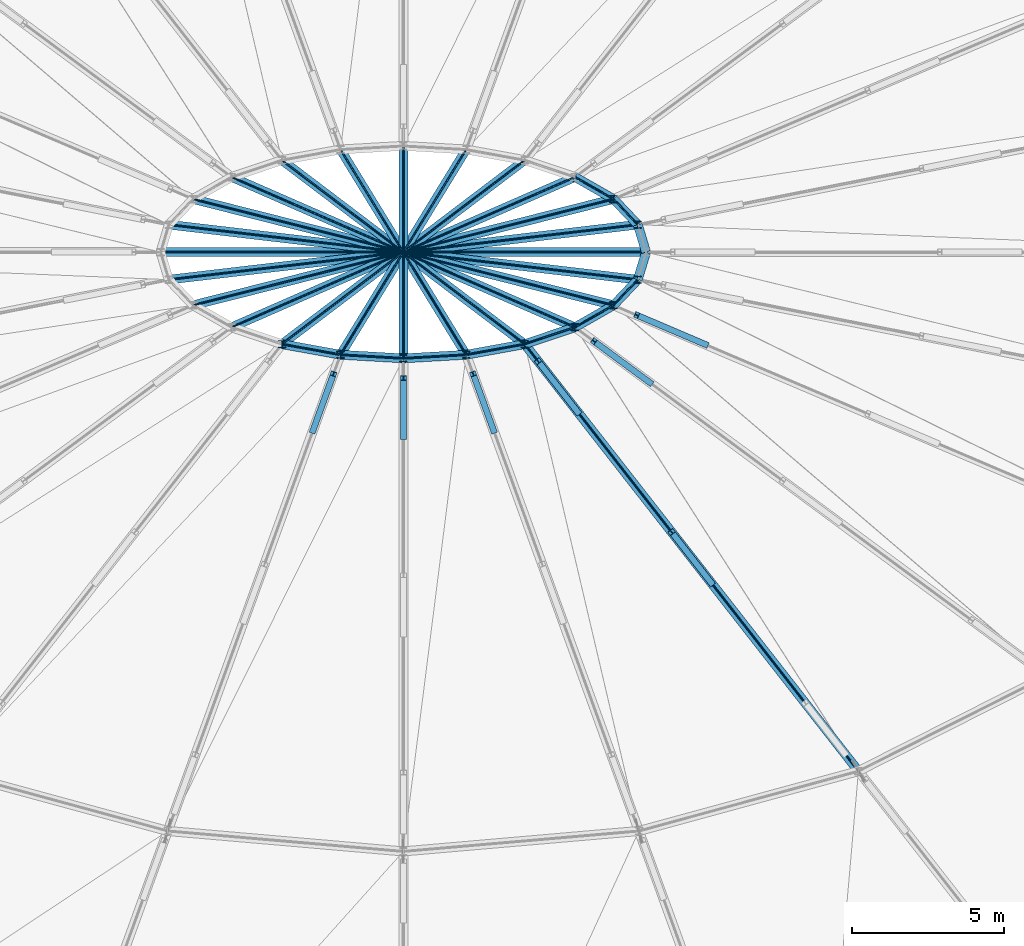
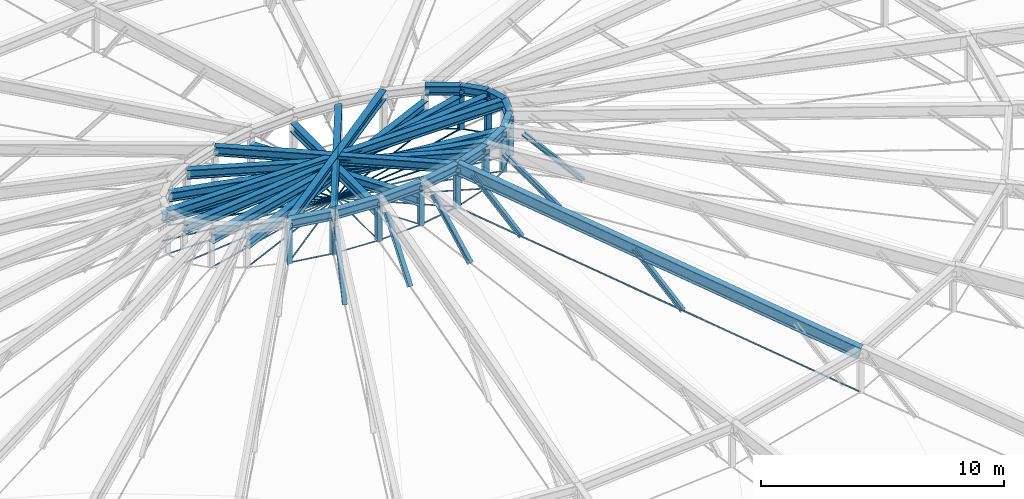
# One storey, part 15 of 83: 39 members, 24 beams.
"""IFC4 building model written with IfcOpenShell, lengths in metres."""

from ifc_helpers import new_model, si_unit, direction, frame, origin, origin_2d, place, context, subcontext, project, spatial, circle, i_section, extrude, material, material_profile, profile_set, type_object, element, save


model = new_model("IFC4")

# Units and contexts
model_context = context("Model", 3, precision=1e-05, world=origin(), true_north=direction((0.0, 1.0)))
body_context = subcontext(model_context, "Body", "Model", "MODEL_VIEW")
ifc_project = project(units=[si_unit("LENGTHUNIT", "METRE"), si_unit("AREAUNIT", "SQUARE_METRE"), si_unit("VOLUMEUNIT", "CUBIC_METRE"), si_unit("PLANEANGLEUNIT", "RADIAN"), si_unit("MASSUNIT", "GRAM", prefix="KILO")], contexts=[model_context])

# Site, building, storey
site_placement = place(None, origin())
site = spatial("IfcSite", under=ifc_project, at=site_placement, CompositionType="ELEMENT")
building_placement = place(site_placement, origin())
building = spatial("IfcBuilding", under=site, at=building_placement, Name="Kivolera Central Railway Station", CompositionType="ELEMENT")
storey_placement = place(building_placement, frame((0.0, 0.0, 14.39990234375)))
storey = spatial("IfcBuildingStorey", under=building, at=storey_placement, Name="L03", CompositionType="ELEMENT", Elevation=14.39990234375)

# Beams
ifc_material_1 = material(Name="Steel S355", Category="steel")
ifc_material_profile_1 = material_profile(ifc_material_1, i_section(OverallWidth=0.300048828125, OverallDepth=0.449951171875, WebThickness=0.013916015625, FlangeThickness=0.02587890625, FilletRadius=0.027099609375, at=origin_2d()), Name="HEB 450")
ifc_profile_set_1 = profile_set([ifc_material_profile_1], Name="Steel S355")
beam_type_1 = type_object("IfcBeamType", Name="BM-DCR-HEB450", PredefinedType="BEAM", material=ifc_profile_set_1)
beam_1_placement = place(storey_placement, frame((72.0, 90.0, 10.380126953125), z_axis=(-0.288460231396, 0.9574918772, 0.0), x_axis=(-0.9574918772, -0.288460231396, 0.0)))
element("IfcBeam", 1, at=beam_1_placement, inside=storey, type_object=beam_type_1, Name="Oval Dome Inner Crown Ring Beam DCR2-01", PredefinedType="BEAM", context=body_context, shape_type="SweptSolid", body=[
    extrude(i_section(OverallWidth=0.300048828125, OverallDepth=0.449951171875, WebThickness=0.013916015625, FlangeThickness=0.02587890625, FilletRadius=0.027099609375, at=origin_2d()), origin(), (0.0, 0.0, 1.0), 0.9462890625),
])
beam_2_placement = place(storey_placement, frame((72.0, 90.0, 10.380126953125), z_axis=(-1.0, 0.0, 0.0), x_axis=(0.0, -1.0, 0.0)))
element("IfcBeam", 2, at=beam_2_placement, inside=storey, type_object=beam_type_1, Name="Oval Dome Central Crown Tie Beam DTIE-01", PredefinedType="BEAM", context=body_context, shape_type="SweptSolid", body=[
    extrude(i_section(OverallWidth=0.300048828125, OverallDepth=0.449951171875, WebThickness=0.013916015625, FlangeThickness=0.02587890625, FilletRadius=0.027099609375, at=origin_2d()), origin(), (0.0, 0.0, 1.0), 16.0),
])
beam_3_placement = place(storey_placement, frame((71.72705078125, 90.906005859375, 10.380126953125), z_axis=(-0.687517384405, 0.726167918695, 0.0), x_axis=(-0.726167918695, -0.687517384405, 0.0)))
element("IfcBeam", 3, at=beam_3_placement, inside=storey, type_object=beam_type_1, Name="Oval Dome Inner Crown Ring Beam DCR2-02", PredefinedType="BEAM", context=body_context, shape_type="SweptSolid", body=[
    extrude(i_section(OverallWidth=0.300048828125, OverallDepth=0.449951171875, WebThickness=0.013916015625, FlangeThickness=0.02587890625, FilletRadius=0.027099609375, at=origin_2d()), origin(), (0.0, 0.0, 1.0), 1.162353515625),
])
beam_4_placement = place(storey_placement, frame((71.72705078125, 90.906005859375, 10.1201171875), z_axis=(-0.993196153649, -0.116453425788, 0.0), x_axis=(0.116453425788, -0.993196153649, 0.0)))
element("IfcBeam", 4, at=beam_4_placement, inside=storey, type_object=beam_type_1, Name="Oval Dome Central Crown Tie Beam DTIE-02", PredefinedType="BEAM", context=body_context, shape_type="SweptSolid", body=[
    extrude(i_section(OverallWidth=0.300048828125, OverallDepth=0.449951171875, WebThickness=0.013916015625, FlangeThickness=0.02587890625, FilletRadius=0.027099609375, at=origin_2d()), origin(), (0.0, 0.0, 1.0), 15.56005859375),
])
beam_5_placement = place(storey_placement, frame((70.927978515625, 91.75, 10.380126953125), z_axis=(-0.868592017053, 0.495527908307, 0.0), x_axis=(-0.495527908307, -0.868592017053, 0.0)))
element("IfcBeam", 5, at=beam_5_placement, inside=storey, type_object=beam_type_1, Name="Oval Dome Inner Crown Ring Beam DCR2-03", PredefinedType="BEAM", context=body_context, shape_type="SweptSolid", body=[
    extrude(i_section(OverallWidth=0.300048828125, OverallDepth=0.449951171875, WebThickness=0.013916015625, FlangeThickness=0.02587890625, FilletRadius=0.027099609375, at=origin_2d()), origin(), (0.0, 0.0, 1.0), 1.46337890625),
])
beam_6_placement = place(storey_placement, frame((70.927978515625, 91.75, 9.860107421875), z_axis=(-0.969546709755, -0.244906467052, 0.0), x_axis=(0.244906467052, -0.969546709755, 0.0)))
element("IfcBeam", 6, at=beam_6_placement, inside=storey, type_object=beam_type_1, Name="Oval Dome Central Crown Tie Beam DTIE-03", PredefinedType="BEAM", context=body_context, shape_type="SweptSolid", body=[
    extrude(i_section(OverallWidth=0.300048828125, OverallDepth=0.449951171875, WebThickness=0.013916015625, FlangeThickness=0.02587890625, FilletRadius=0.027099609375, at=origin_2d()), origin(), (0.0, 0.0, 1.0), 14.291259765625),
])
beam_7_placement = place(storey_placement, frame((69.656982421875, 92.47509765625, 9.60009765625), z_axis=(-0.916147352759, -0.400841649574, 0.0), x_axis=(0.400841649574, -0.916147352759, 0.0)))
element("IfcBeam", 7, at=beam_7_placement, inside=storey, type_object=beam_type_1, Name="Oval Dome Central Crown Tie Beam DTIE-04", PredefinedType="BEAM", context=body_context, shape_type="SweptSolid", body=[
    extrude(i_section(OverallWidth=0.300048828125, OverallDepth=0.449951171875, WebThickness=0.013916015625, FlangeThickness=0.02587890625, FilletRadius=0.027099609375, at=origin_2d()), origin(), (0.0, 0.0, 1.0), 12.349609375),
])
beam_8_placement = place(storey_placement, frame((68.0, 93.031005859375, 10.380126953125), z_axis=(-0.797024736241, -0.603946661403, 0.0), x_axis=(0.603946661403, -0.797024736241, 0.0)))
element("IfcBeam", 8, at=beam_8_placement, inside=storey, type_object=beam_type_1, Name="Oval Dome Central Crown Tie Beam DTIE-05", PredefinedType="BEAM", context=body_context, shape_type="SweptSolid", body=[
    extrude(i_section(OverallWidth=0.300048828125, OverallDepth=0.449951171875, WebThickness=0.013916015625, FlangeThickness=0.02587890625, FilletRadius=0.027099609375, at=origin_2d()), origin(), (0.0, 0.0, 1.0), 10.037353515625),
])
beam_9_placement = place(storey_placement, frame((66.071044921875, 93.381103515625, 10.1201171875), z_axis=(-0.522333907291, -0.852741044687, 0.0), x_axis=(0.852741044687, -0.522333907291, 0.0)))
element("IfcBeam", 9, at=beam_9_placement, inside=storey, type_object=beam_type_1, Name="Oval Dome Central Crown Tie Beam DTIE-06", PredefinedType="BEAM", context=body_context, shape_type="SweptSolid", body=[
    extrude(i_section(OverallWidth=0.300048828125, OverallDepth=0.449951171875, WebThickness=0.013916015625, FlangeThickness=0.02587890625, FilletRadius=0.027099609375, at=origin_2d()), origin(), (0.0, 0.0, 1.0), 7.929931640625),
])
beam_10_placement = place(storey_placement, frame((64.0, 93.5, 9.860107421875), z_axis=(0.0, -1.0, 0.0), x_axis=(1.0, 0.0, 0.0)))
element("IfcBeam", 10, at=beam_10_placement, inside=storey, type_object=beam_type_1, Name="Oval Dome Central Crown Tie Beam DTIE-07", PredefinedType="BEAM", context=body_context, shape_type="SweptSolid", body=[
    extrude(i_section(OverallWidth=0.300048828125, OverallDepth=0.449951171875, WebThickness=0.013916015625, FlangeThickness=0.02587890625, FilletRadius=0.027099609375, at=origin_2d()), origin(), (0.0, 0.0, 1.0), 7.0),
])
beam_11_placement = place(storey_placement, frame((61.928955078125, 93.381103515625, 9.60009765625), z_axis=(0.522333907291, -0.852741044687, 0.0), x_axis=(0.852741044687, 0.522333907291, 0.0)))
element("IfcBeam", 11, at=beam_11_placement, inside=storey, type_object=beam_type_1, Name="Oval Dome Central Crown Tie Beam DTIE-08", PredefinedType="BEAM", context=body_context, shape_type="SweptSolid", body=[
    extrude(i_section(OverallWidth=0.300048828125, OverallDepth=0.449951171875, WebThickness=0.013916015625, FlangeThickness=0.02587890625, FilletRadius=0.027099609375, at=origin_2d()), origin(), (0.0, 0.0, 1.0), 7.929931640625),
])
beam_12_placement = place(storey_placement, frame((60.0, 93.031005859375, 10.380126953125), z_axis=(0.797024736241, -0.603946661403, 0.0), x_axis=(0.603946661403, 0.797024736241, 0.0)))
element("IfcBeam", 12, at=beam_12_placement, inside=storey, type_object=beam_type_1, Name="Oval Dome Central Crown Tie Beam DTIE-09", PredefinedType="BEAM", context=body_context, shape_type="SweptSolid", body=[
    extrude(i_section(OverallWidth=0.300048828125, OverallDepth=0.449951171875, WebThickness=0.013916015625, FlangeThickness=0.02587890625, FilletRadius=0.027099609375, at=origin_2d()), origin(), (0.0, 0.0, 1.0), 10.037353515625),
])
beam_13_placement = place(storey_placement, frame((58.343017578125, 92.47509765625, 10.1201171875), z_axis=(0.916147352759, -0.400841649574, 0.0), x_axis=(0.400841649574, 0.916147352759, 0.0)))
element("IfcBeam", 13, at=beam_13_placement, inside=storey, type_object=beam_type_1, Name="Oval Dome Central Crown Tie Beam DTIE-10", PredefinedType="BEAM", context=body_context, shape_type="SweptSolid", body=[
    extrude(i_section(OverallWidth=0.300048828125, OverallDepth=0.449951171875, WebThickness=0.013916015625, FlangeThickness=0.02587890625, FilletRadius=0.027099609375, at=origin_2d()), origin(), (0.0, 0.0, 1.0), 12.349609375),
])
beam_14_placement = place(storey_placement, frame((57.072021484375, 91.75, 9.860107421875), z_axis=(0.969546709755, -0.244906467052, 0.0), x_axis=(0.244906467052, 0.969546709755, 0.0)))
element("IfcBeam", 14, at=beam_14_placement, inside=storey, type_object=beam_type_1, Name="Oval Dome Central Crown Tie Beam DTIE-11", PredefinedType="BEAM", context=body_context, shape_type="SweptSolid", body=[
    extrude(i_section(OverallWidth=0.300048828125, OverallDepth=0.449951171875, WebThickness=0.013916015625, FlangeThickness=0.02587890625, FilletRadius=0.027099609375, at=origin_2d()), origin(), (0.0, 0.0, 1.0), 14.291259765625),
])
beam_15_placement = place(storey_placement, frame((56.27294921875, 90.906005859375, 9.60009765625), z_axis=(0.993196153649, -0.116453425788, 0.0), x_axis=(0.116453425788, 0.993196153649, 0.0)))
element("IfcBeam", 15, at=beam_15_placement, inside=storey, type_object=beam_type_1, Name="Oval Dome Central Crown Tie Beam DTIE-12", PredefinedType="BEAM", context=body_context, shape_type="SweptSolid", body=[
    extrude(i_section(OverallWidth=0.300048828125, OverallDepth=0.449951171875, WebThickness=0.013916015625, FlangeThickness=0.02587890625, FilletRadius=0.027099609375, at=origin_2d()), origin(), (0.0, 0.0, 1.0), 15.56005859375),
])
beam_16_placement = place(storey_placement, frame((60.0, 86.968994140625, 10.380126953125), z_axis=(0.983925652492, -0.178578583176, 0.0), x_axis=(0.178578583176, 0.983925652492, 0.0)))
element("IfcBeam", 16, at=beam_16_placement, inside=storey, type_object=beam_type_1, Name="Oval Dome Inner Crown Ring Beam DCR2-17", PredefinedType="BEAM", context=body_context, shape_type="SweptSolid", body=[
    extrude(i_section(OverallWidth=0.300048828125, OverallDepth=0.449951171875, WebThickness=0.013916015625, FlangeThickness=0.02587890625, FilletRadius=0.027099609375, at=origin_2d()), origin(), (0.0, 0.0, 1.0), 1.96044921875),
])
for number, where, z_axis, x_axis, name in (
    (17, (61.928955078125, 86.618896484375, 10.380126953125), (0.998356169233, -0.057314564944, 0.0), (0.057314564944, 0.998356169233, 0.0), "Oval Dome Inner Crown Ring Beam DCR2-18"),
    (18, (64.0, 86.5, 10.380126953125), (0.998356169233, 0.057314564944, 0.0), (-0.057314564944, 0.998356169233, 0.0), "Oval Dome Inner Crown Ring Beam DCR2-19"),
):
    element("IfcBeam", number, at=place(storey_placement, frame(where, z_axis=z_axis, x_axis=x_axis)), inside=storey, type_object=beam_type_1, Name=name, PredefinedType="BEAM", context=body_context, shape_type="SweptSolid", body=[
        extrude(i_section(OverallWidth=0.300048828125, OverallDepth=0.449951171875, WebThickness=0.013916015625, FlangeThickness=0.02587890625, FilletRadius=0.027099609375, at=origin_2d()), origin(), (0.0, 0.0, 1.0), 2.074462890625),
    ])
beam_17_placement = place(storey_placement, frame((66.071044921875, 86.618896484375, 10.380126953125), z_axis=(0.983925652492, 0.178578583176, 0.0), x_axis=(-0.178578583176, 0.983925652492, 0.0)))
element("IfcBeam", 19, at=beam_17_placement, inside=storey, type_object=beam_type_1, Name="Oval Dome Inner Crown Ring Beam DCR2-20", PredefinedType="BEAM", context=body_context, shape_type="SweptSolid", body=[
    extrude(i_section(OverallWidth=0.300048828125, OverallDepth=0.449951171875, WebThickness=0.013916015625, FlangeThickness=0.02587890625, FilletRadius=0.027099609375, at=origin_2d()), origin(), (0.0, 0.0, 1.0), 1.96044921875),
])
beam_18_placement = place(storey_placement, frame((68.0, 86.968994140625, 10.380126953125), z_axis=(0.948066876062, 0.318071058906, 0.0), x_axis=(-0.318071058906, 0.948066876062, 0.0)))
element("IfcBeam", 20, at=beam_18_placement, inside=storey, type_object=beam_type_1, Name="Oval Dome Inner Crown Ring Beam DCR2-21", PredefinedType="BEAM", context=body_context, shape_type="SweptSolid", body=[
    extrude(i_section(OverallWidth=0.300048828125, OverallDepth=0.449951171875, WebThickness=0.013916015625, FlangeThickness=0.02587890625, FilletRadius=0.027099609375, at=origin_2d()), origin(), (0.0, 0.0, 1.0), 1.747802734375),
])
beam_19_placement = place(storey_placement, frame((69.656982421875, 87.52490234375, 10.380126953125), z_axis=(0.868592017053, 0.495527908307, 0.0), x_axis=(-0.495527908307, 0.868592017053, 0.0)))
element("IfcBeam", 21, at=beam_19_placement, inside=storey, type_object=beam_type_1, Name="Oval Dome Inner Crown Ring Beam DCR2-22", PredefinedType="BEAM", context=body_context, shape_type="SweptSolid", body=[
    extrude(i_section(OverallWidth=0.300048828125, OverallDepth=0.449951171875, WebThickness=0.013916015625, FlangeThickness=0.02587890625, FilletRadius=0.027099609375, at=origin_2d()), origin(), (0.0, 0.0, 1.0), 1.46337890625),
])
beam_20_placement = place(storey_placement, frame((70.927978515625, 88.25, 10.380126953125), z_axis=(0.687517384405, 0.726167918695, 0.0), x_axis=(-0.726167918695, 0.687517384405, 0.0)))
element("IfcBeam", 22, at=beam_20_placement, inside=storey, type_object=beam_type_1, Name="Oval Dome Inner Crown Ring Beam DCR2-23", PredefinedType="BEAM", context=body_context, shape_type="SweptSolid", body=[
    extrude(i_section(OverallWidth=0.300048828125, OverallDepth=0.449951171875, WebThickness=0.013916015625, FlangeThickness=0.02587890625, FilletRadius=0.027099609375, at=origin_2d()), origin(), (0.0, 0.0, 1.0), 1.162353515625),
])
beam_21_placement = place(storey_placement, frame((71.72705078125, 89.093994140625, 10.380126953125), z_axis=(0.288460231396, 0.9574918772, 0.0), x_axis=(-0.9574918772, 0.288460231396, 0.0)))
element("IfcBeam", 23, at=beam_21_placement, inside=storey, type_object=beam_type_1, Name="Oval Dome Inner Crown Ring Beam DCR2-24", PredefinedType="BEAM", context=body_context, shape_type="SweptSolid", body=[
    extrude(i_section(OverallWidth=0.300048828125, OverallDepth=0.449951171875, WebThickness=0.013916015625, FlangeThickness=0.02587890625, FilletRadius=0.027099609375, at=origin_2d()), origin(), (0.0, 0.0, 1.0), 0.9462890625),
])
ifc_material_profile_2 = material_profile(ifc_material_1, i_section(OverallWidth=0.300048828125, OverallDepth=0.60009765625, WebThickness=0.015380859375, FlangeThickness=0.030029296875, FilletRadius=0.027099609375, at=origin_2d()), Name="HEB 600")
ifc_profile_set_2 = profile_set([ifc_material_profile_2], Name="Steel S355")
beam_type_2 = type_object("IfcBeamType", Name="BM-DRB-HEB600", PredefinedType="BEAM", material=ifc_profile_set_2)
beam_22_placement = place(storey_placement, frame((79.0, 72.89599609375, 5.780029296875), z_axis=(-0.596374461748, 0.762979694126, 0.249398251249), x_axis=(-0.787875774428, -0.61583420177, 0.0)))
element("IfcBeam", 24, at=beam_22_placement, inside=storey, type_object=beam_type_2, Name="Oval Dome Radial Arch Rib Mid Segment DRB2-21", PredefinedType="BEAM", context=body_context, shape_type="SweptSolid", body=[
    extrude(i_section(OverallWidth=0.300048828125, OverallDepth=0.60009765625, WebThickness=0.015380859375, FlangeThickness=0.030029296875, FilletRadius=0.027099609375, at=origin_2d()), origin(), (0.0, 0.0, 1.0), 18.44482421875),
])

# Members
ifc_material_2 = material(Name="Spiral strand steel S460", Category="steel")
ifc_material_profile_3 = material_profile(ifc_material_2, circle(Radius=0.02392578125, at=origin_2d()), Name="CABLE D48")
ifc_profile_set_3 = profile_set([ifc_material_profile_3], Name="Spiral strand steel S460")
member_type_1 = type_object("IfcMemberType", Name="MEM-CABLE-D48", PredefinedType="USERDEFINED", material=ifc_profile_set_3)
member_1_placement = place(storey_placement, frame((72.0, 90.0, 8.380126953125), z_axis=(-1.0, 0.0, 0.0), x_axis=(0.0, -1.0, 0.0)))
element("IfcMember", 25, at=member_1_placement, inside=storey, type_object=member_type_1, Name="Oval Dome Central Tension Ring Cross-Cable OC-01", ObjectType="TENSION_CABLE", PredefinedType="USERDEFINED", context=body_context, shape_type="SweptSolid", body=[
    extrude(circle(Radius=0.02392578125, at=origin_2d()), origin(), (0.0, 0.0, 1.0), 16.0),
])
member_2_placement = place(storey_placement, frame((71.72705078125, 90.906005859375, 8.380126953125), z_axis=(-0.687517384405, 0.726167918695, 0.0), x_axis=(-0.726167918695, -0.687517384405, 0.0)))
element("IfcMember", 26, at=member_2_placement, inside=storey, type_object=member_type_1, Name="Dome Crown Hoop Tension Cable HC2-02", ObjectType="TENSION_CABLE", PredefinedType="USERDEFINED", context=body_context, shape_type="SweptSolid", body=[
    extrude(circle(Radius=0.02392578125, at=origin_2d()), origin(), (0.0, 0.0, 1.0), 1.162353515625),
])
member_3_placement = place(storey_placement, frame((71.72705078125, 90.906005859375, 8.380126953125), z_axis=(-0.993196153649, -0.116453425788, 0.0), x_axis=(0.116453425788, -0.993196153649, 0.0)))
element("IfcMember", 27, at=member_3_placement, inside=storey, type_object=member_type_1, Name="Oval Dome Central Tension Ring Cross-Cable OC-02", ObjectType="TENSION_CABLE", PredefinedType="USERDEFINED", context=body_context, shape_type="SweptSolid", body=[
    extrude(circle(Radius=0.02392578125, at=origin_2d()), origin(), (0.0, 0.0, 1.0), 15.56005859375),
])
member_4_placement = place(storey_placement, frame((70.927978515625, 91.75, 8.380126953125), z_axis=(-0.868592017053, 0.495527908307, 0.0), x_axis=(-0.495527908307, -0.868592017053, 0.0)))
element("IfcMember", 28, at=member_4_placement, inside=storey, type_object=member_type_1, Name="Dome Crown Hoop Tension Cable HC2-03", ObjectType="TENSION_CABLE", PredefinedType="USERDEFINED", context=body_context, shape_type="SweptSolid", body=[
    extrude(circle(Radius=0.02392578125, at=origin_2d()), origin(), (0.0, 0.0, 1.0), 1.46337890625),
])
member_5_placement = place(storey_placement, frame((70.927978515625, 91.75, 8.380126953125), z_axis=(-0.969546709755, -0.244906467052, 0.0), x_axis=(0.244906467052, -0.969546709755, 0.0)))
element("IfcMember", 29, at=member_5_placement, inside=storey, type_object=member_type_1, Name="Oval Dome Central Tension Ring Cross-Cable OC-03", ObjectType="TENSION_CABLE", PredefinedType="USERDEFINED", context=body_context, shape_type="SweptSolid", body=[
    extrude(circle(Radius=0.02392578125, at=origin_2d()), origin(), (0.0, 0.0, 1.0), 14.291259765625),
])
member_6_placement = place(storey_placement, frame((69.656982421875, 92.47509765625, 8.380126953125), z_axis=(-0.916147352759, -0.400841649574, 0.0), x_axis=(0.400841649574, -0.916147352759, 0.0)))
element("IfcMember", 30, at=member_6_placement, inside=storey, type_object=member_type_1, Name="Oval Dome Central Tension Ring Cross-Cable OC-04", ObjectType="TENSION_CABLE", PredefinedType="USERDEFINED", context=body_context, shape_type="SweptSolid", body=[
    extrude(circle(Radius=0.02392578125, at=origin_2d()), origin(), (0.0, 0.0, 1.0), 12.349609375),
])
member_7_placement = place(storey_placement, frame((68.0, 93.031005859375, 8.380126953125), z_axis=(-0.797024736241, -0.603946661403, 0.0), x_axis=(0.603946661403, -0.797024736241, 0.0)))
element("IfcMember", 31, at=member_7_placement, inside=storey, type_object=member_type_1, Name="Oval Dome Central Tension Ring Cross-Cable OC-05", ObjectType="TENSION_CABLE", PredefinedType="USERDEFINED", context=body_context, shape_type="SweptSolid", body=[
    extrude(circle(Radius=0.02392578125, at=origin_2d()), origin(), (0.0, 0.0, 1.0), 10.037353515625),
])
member_8_placement = place(storey_placement, frame((66.071044921875, 93.381103515625, 8.380126953125), z_axis=(-0.522333907291, -0.852741044687, 0.0), x_axis=(0.852741044687, -0.522333907291, 0.0)))
element("IfcMember", 32, at=member_8_placement, inside=storey, type_object=member_type_1, Name="Oval Dome Central Tension Ring Cross-Cable OC-06", ObjectType="TENSION_CABLE", PredefinedType="USERDEFINED", context=body_context, shape_type="SweptSolid", body=[
    extrude(circle(Radius=0.02392578125, at=origin_2d()), origin(), (0.0, 0.0, 1.0), 7.929931640625),
])
member_9_placement = place(storey_placement, frame((64.0, 93.5, 8.380126953125), z_axis=(0.0, -1.0, 0.0), x_axis=(1.0, 0.0, 0.0)))
element("IfcMember", 33, at=member_9_placement, inside=storey, type_object=member_type_1, Name="Oval Dome Central Tension Ring Cross-Cable OC-07", ObjectType="TENSION_CABLE", PredefinedType="USERDEFINED", context=body_context, shape_type="SweptSolid", body=[
    extrude(circle(Radius=0.02392578125, at=origin_2d()), origin(), (0.0, 0.0, 1.0), 7.0),
])
member_10_placement = place(storey_placement, frame((61.928955078125, 93.381103515625, 8.380126953125), z_axis=(0.522333907291, -0.852741044687, 0.0), x_axis=(0.852741044687, 0.522333907291, 0.0)))
element("IfcMember", 34, at=member_10_placement, inside=storey, type_object=member_type_1, Name="Oval Dome Central Tension Ring Cross-Cable OC-08", ObjectType="TENSION_CABLE", PredefinedType="USERDEFINED", context=body_context, shape_type="SweptSolid", body=[
    extrude(circle(Radius=0.02392578125, at=origin_2d()), origin(), (0.0, 0.0, 1.0), 7.929931640625),
])
member_11_placement = place(storey_placement, frame((60.0, 93.031005859375, 8.380126953125), z_axis=(0.797024736241, -0.603946661403, 0.0), x_axis=(0.603946661403, 0.797024736241, 0.0)))
element("IfcMember", 35, at=member_11_placement, inside=storey, type_object=member_type_1, Name="Oval Dome Central Tension Ring Cross-Cable OC-09", ObjectType="TENSION_CABLE", PredefinedType="USERDEFINED", context=body_context, shape_type="SweptSolid", body=[
    extrude(circle(Radius=0.02392578125, at=origin_2d()), origin(), (0.0, 0.0, 1.0), 10.037353515625),
])
member_12_placement = place(storey_placement, frame((58.343017578125, 92.47509765625, 8.380126953125), z_axis=(0.916147352759, -0.400841649574, 0.0), x_axis=(0.400841649574, 0.916147352759, 0.0)))
element("IfcMember", 36, at=member_12_placement, inside=storey, type_object=member_type_1, Name="Oval Dome Central Tension Ring Cross-Cable OC-10", ObjectType="TENSION_CABLE", PredefinedType="USERDEFINED", context=body_context, shape_type="SweptSolid", body=[
    extrude(circle(Radius=0.02392578125, at=origin_2d()), origin(), (0.0, 0.0, 1.0), 12.349609375),
])
member_13_placement = place(storey_placement, frame((57.072021484375, 91.75, 8.380126953125), z_axis=(0.969546709755, -0.244906467052, 0.0), x_axis=(0.244906467052, 0.969546709755, 0.0)))
element("IfcMember", 37, at=member_13_placement, inside=storey, type_object=member_type_1, Name="Oval Dome Central Tension Ring Cross-Cable OC-11", ObjectType="TENSION_CABLE", PredefinedType="USERDEFINED", context=body_context, shape_type="SweptSolid", body=[
    extrude(circle(Radius=0.02392578125, at=origin_2d()), origin(), (0.0, 0.0, 1.0), 14.291259765625),
])
member_14_placement = place(storey_placement, frame((56.27294921875, 90.906005859375, 8.380126953125), z_axis=(0.993196153649, -0.116453425788, 0.0), x_axis=(0.116453425788, 0.993196153649, 0.0)))
element("IfcMember", 38, at=member_14_placement, inside=storey, type_object=member_type_1, Name="Oval Dome Central Tension Ring Cross-Cable OC-12", ObjectType="TENSION_CABLE", PredefinedType="USERDEFINED", context=body_context, shape_type="SweptSolid", body=[
    extrude(circle(Radius=0.02392578125, at=origin_2d()), origin(), (0.0, 0.0, 1.0), 15.56005859375),
])
member_15_placement = place(storey_placement, frame((60.0, 86.968994140625, 8.380126953125), z_axis=(0.983925652492, -0.178578583176, 0.0), x_axis=(0.178578583176, 0.983925652492, 0.0)))
element("IfcMember", 39, at=member_15_placement, inside=storey, type_object=member_type_1, Name="Dome Crown Hoop Tension Cable HC2-17", ObjectType="TENSION_CABLE", PredefinedType="USERDEFINED", context=body_context, shape_type="SweptSolid", body=[
    extrude(circle(Radius=0.02392578125, at=origin_2d()), origin(), (0.0, 0.0, 1.0), 1.96044921875),
])
for number, where, z_axis, x_axis, name in (
    (40, (61.928955078125, 86.618896484375, 8.380126953125), (0.998356169233, -0.057314564944, 0.0), (0.057314564944, 0.998356169233, 0.0), "Dome Crown Hoop Tension Cable HC2-18"),
    (41, (64.0, 86.5, 8.380126953125), (0.998356169233, 0.057314564944, 0.0), (-0.057314564944, 0.998356169233, 0.0), "Dome Crown Hoop Tension Cable HC2-19"),
):
    element("IfcMember", number, at=place(storey_placement, frame(where, z_axis=z_axis, x_axis=x_axis)), inside=storey, type_object=member_type_1, Name=name, ObjectType="TENSION_CABLE", PredefinedType="USERDEFINED", context=body_context, shape_type="SweptSolid", body=[
        extrude(circle(Radius=0.02392578125, at=origin_2d()), origin(), (0.0, 0.0, 1.0), 2.074462890625),
    ])
member_16_placement = place(storey_placement, frame((66.071044921875, 86.618896484375, 8.380126953125), z_axis=(0.983925652492, 0.178578583176, 0.0), x_axis=(-0.178578583176, 0.983925652492, 0.0)))
element("IfcMember", 42, at=member_16_placement, inside=storey, type_object=member_type_1, Name="Dome Crown Hoop Tension Cable HC2-20", ObjectType="TENSION_CABLE", PredefinedType="USERDEFINED", context=body_context, shape_type="SweptSolid", body=[
    extrude(circle(Radius=0.02392578125, at=origin_2d()), origin(), (0.0, 0.0, 1.0), 1.96044921875),
])
member_17_placement = place(storey_placement, frame((68.0, 86.968994140625, 8.380126953125), z_axis=(0.948066876062, 0.318071058906, 0.0), x_axis=(-0.318071058906, 0.948066876062, 0.0)))
element("IfcMember", 43, at=member_17_placement, inside=storey, type_object=member_type_1, Name="Dome Crown Hoop Tension Cable HC2-21", ObjectType="TENSION_CABLE", PredefinedType="USERDEFINED", context=body_context, shape_type="SweptSolid", body=[
    extrude(circle(Radius=0.02392578125, at=origin_2d()), origin(), (0.0, 0.0, 1.0), 1.747802734375),
])
member_18_placement = place(storey_placement, frame((69.656982421875, 87.52490234375, 8.380126953125), z_axis=(0.868592017053, 0.495527908307, 0.0), x_axis=(-0.495527908307, 0.868592017053, 0.0)))
element("IfcMember", 44, at=member_18_placement, inside=storey, type_object=member_type_1, Name="Dome Crown Hoop Tension Cable HC2-22", ObjectType="TENSION_CABLE", PredefinedType="USERDEFINED", context=body_context, shape_type="SweptSolid", body=[
    extrude(circle(Radius=0.02392578125, at=origin_2d()), origin(), (0.0, 0.0, 1.0), 1.46337890625),
])
member_19_placement = place(storey_placement, frame((70.927978515625, 88.25, 8.380126953125), z_axis=(0.687517384405, 0.726167918695, 0.0), x_axis=(-0.726167918695, 0.687517384405, 0.0)))
element("IfcMember", 45, at=member_19_placement, inside=storey, type_object=member_type_1, Name="Dome Crown Hoop Tension Cable HC2-23", ObjectType="TENSION_CABLE", PredefinedType="USERDEFINED", context=body_context, shape_type="SweptSolid", body=[
    extrude(circle(Radius=0.02392578125, at=origin_2d()), origin(), (0.0, 0.0, 1.0), 1.162353515625),
])
ifc_material_profile_4 = material_profile(ifc_material_2, circle(Radius=0.031982421875, at=origin_2d()), Name="CABLE D64")
ifc_profile_set_4 = profile_set([ifc_material_profile_4], Name="Spiral strand steel S460")
member_type_2 = type_object("IfcMemberType", Name="MEM-CABLE-D64", PredefinedType="USERDEFINED", material=ifc_profile_set_4)
member_20_placement = place(storey_placement, frame((79.0, 72.89599609375, 3.780029296875), z_axis=(-0.596374461748, 0.762979694126, 0.249398251249), x_axis=(-0.787875774428, -0.61583420177, 0.0)))
element("IfcMember", 46, at=member_20_placement, inside=storey, type_object=member_type_2, Name="Dome Inner Radial Tension Cable RC2-21", ObjectType="TENSION_CABLE", PredefinedType="USERDEFINED", context=body_context, shape_type="SweptSolid", body=[
    extrude(circle(Radius=0.031982421875, at=origin_2d()), origin(), (0.0, 0.0, 1.0), 18.44482421875),
])
ifc_material_profile_5 = material_profile(ifc_material_1, i_section(OverallWidth=0.239990234375, OverallDepth=0.22998046875, WebThickness=0.007568359375, FlangeThickness=0.011962890625, FilletRadius=0.02099609375, at=origin_2d()), Name="HEA 240")
ifc_profile_set_5 = profile_set([ifc_material_profile_5], Name="Steel S355")
member_type_3 = type_object("IfcMemberType", Name="MEM-RAF-HEA240", PredefinedType="STRUT", material=ifc_profile_set_5)
for number, where, z_axis, x_axis, name in (
    (47, (71.72705078125, 90.906005859375, 8.380126953125), (0.0, 0.0, 1.0), (1.0, 0.0, 0.0), "Dome Crown Spreader Post DP2-02"),
    (48, (70.927978515625, 91.75, 8.380126953125), (0.0, 0.0, 1.0), (1.0, 0.0, 0.0), "Dome Crown Spreader Post DP2-03"),
    (49, (60.0, 86.968994140625, 8.380126953125), (0.0, 0.0, 1.0), (1.0, 0.0, 0.0), "Dome Crown Spreader Post DP2-17"),
    (50, (61.928955078125, 86.618896484375, 8.380126953125), (0.0, 0.0, 1.0), (1.0, 0.0, 0.0), "Dome Crown Spreader Post DP2-18"),
    (51, (64.0, 86.5, 8.380126953125), (0.0, 0.0, 1.0), (1.0, 0.0, 0.0), "Dome Crown Spreader Post DP2-19"),
    (52, (66.071044921875, 86.618896484375, 8.380126953125), (0.0, 0.0, 1.0), (1.0, 0.0, 0.0), "Dome Crown Spreader Post DP2-20"),
    (53, (68.0, 86.968994140625, 8.380126953125), (0.0, 0.0, 1.0), (1.0, 0.0, 0.0), "Dome Crown Spreader Post DP2-21"),
    (54, (69.656982421875, 87.52490234375, 8.380126953125), (0.0, 0.0, 1.0), (1.0, 0.0, 0.0), "Dome Crown Spreader Post DP2-22"),
    (55, (70.927978515625, 88.25, 8.380126953125), (0.0, 0.0, 1.0), (1.0, 0.0, 0.0), "Dome Crown Spreader Post DP2-23"),
    (56, (71.72705078125, 89.093994140625, 8.380126953125), (0.0, 0.0, 1.0), (1.0, 0.0, 0.0), "Dome Crown Spreader Post DP2-24"),
):
    element("IfcMember", number, at=place(storey_placement, frame(where, z_axis=z_axis, x_axis=x_axis)), inside=storey, type_object=member_type_3, Name=name, PredefinedType="STRUT", context=body_context, shape_type="SweptSolid", body=[
        extrude(i_section(OverallWidth=0.239990234375, OverallDepth=0.22998046875, WebThickness=0.007568359375, FlangeThickness=0.011962890625, FilletRadius=0.02099609375, at=origin_2d()), origin(), (0.0, 0.0, 1.0), 2.0),
    ])
ifc_material_profile_6 = material_profile(ifc_material_1, i_section(OverallWidth=0.199951171875, OverallDepth=0.199951171875, WebThickness=0.009033203125, FlangeThickness=0.014892578125, FilletRadius=0.01806640625, at=origin_2d()), Name="HEB 200")
ifc_profile_set_6 = profile_set([ifc_material_profile_6], Name="Steel S355")
member_type_4 = type_object("IfcMemberType", Name="MEM-RAF-HEB200", PredefinedType="RAFTER", material=ifc_profile_set_6)
member_21_placement = place(storey_placement, frame((61.01806640625, 84.10791015625, 7.64404296875), z_axis=(0.210485993598, 0.580435634115, 0.78663213839), x_axis=(-0.940095542552, 0.340911089397, 0.0)))
element("IfcMember", 57, at=member_21_placement, inside=storey, type_object=member_type_4, Name="Dome Inner Truss Raking Web DWEB2-18.3", PredefinedType="RAFTER", context=body_context, shape_type="SweptSolid", body=[
    extrude(i_section(OverallWidth=0.199951171875, OverallDepth=0.199951171875, WebThickness=0.009033203125, FlangeThickness=0.014892578125, FilletRadius=0.01806640625, at=origin_2d()), origin(), (0.0, 0.0, 1.0), 3.244140625),
])
member_22_placement = place(storey_placement, frame((64.0, 83.89990234375, 7.64404296875), z_axis=(0.0, 0.607187682009, 0.794558442669), x_axis=(-1.0, 0.0, 0.0)))
element("IfcMember", 58, at=member_22_placement, inside=storey, type_object=member_type_4, Name="Dome Inner Truss Raking Web DWEB2-19.3", PredefinedType="RAFTER", context=body_context, shape_type="SweptSolid", body=[
    extrude(i_section(OverallWidth=0.199951171875, OverallDepth=0.199951171875, WebThickness=0.009033203125, FlangeThickness=0.014892578125, FilletRadius=0.01806640625, at=origin_2d()), origin(), (0.0, 0.0, 1.0), 3.2119140625),
])
member_23_placement = place(storey_placement, frame((66.98193359375, 84.10791015625, 7.64404296875), z_axis=(-0.210485993598, 0.580435634115, 0.78663213839), x_axis=(-0.940095542552, -0.340911089397, 0.0)))
element("IfcMember", 59, at=member_23_placement, inside=storey, type_object=member_type_4, Name="Dome Inner Truss Raking Web DWEB2-20.3", PredefinedType="RAFTER", context=body_context, shape_type="SweptSolid", body=[
    extrude(i_section(OverallWidth=0.199951171875, OverallDepth=0.199951171875, WebThickness=0.009033203125, FlangeThickness=0.014892578125, FilletRadius=0.01806640625, at=origin_2d()), origin(), (0.0, 0.0, 1.0), 3.244140625),
])
for number, where, z_axis, x_axis, name in (
    (60, (74.159912109375, 79.087890625, 5.80419921875), (-0.396001338606, 0.506831901927, 0.765705141038), (-0.787995020105, -0.61568161276, 0.0), "Dome Inner Truss Raking Web DWEB2-21.2"),
    (61, (69.760009765625, 84.717041015625, 7.64404296875), (-0.396077804274, 0.506762761229, 0.765711353444), (-0.787896583564, -0.615807578394, 0.0), "Dome Inner Truss Raking Web DWEB2-21.3"),
):
    element("IfcMember", number, at=place(storey_placement, frame(where, z_axis=z_axis, x_axis=x_axis)), inside=storey, type_object=member_type_4, Name=name, PredefinedType="RAFTER", context=body_context, shape_type="SweptSolid", body=[
        extrude(i_section(OverallWidth=0.199951171875, OverallDepth=0.199951171875, WebThickness=0.009033203125, FlangeThickness=0.014892578125, FilletRadius=0.01806640625, at=origin_2d()), origin(), (0.0, 0.0, 1.0), 3.332763671875),
    ])
member_24_placement = place(storey_placement, frame((72.14599609375, 85.68701171875, 7.64404296875), z_axis=(-0.541270764983, 0.39949420656, 0.739885354566), x_axis=(-0.593837701674, -0.804584852002, 0.0)))
element("IfcMember", 62, at=member_24_placement, inside=storey, type_object=member_type_4, Name="Dome Inner Truss Raking Web DWEB2-22.3", PredefinedType="RAFTER", context=body_context, shape_type="SweptSolid", body=[
    extrude(i_section(OverallWidth=0.199951171875, OverallDepth=0.199951171875, WebThickness=0.009033203125, FlangeThickness=0.014892578125, FilletRadius=0.01806640625, at=origin_2d()), origin(), (0.0, 0.0, 1.0), 3.44921875),
])
member_25_placement = place(storey_placement, frame((73.97607421875, 86.949951171875, 7.64404296875), z_axis=(-0.641758749777, 0.273727514589, 0.716393017025), x_axis=(-0.392330096129, -0.919824491776, 0.0)))
element("IfcMember", 63, at=member_25_placement, inside=storey, type_object=member_type_4, Name="Dome Inner Truss Raking Web DWEB2-23.3", PredefinedType="RAFTER", context=body_context, shape_type="SweptSolid", body=[
    extrude(i_section(OverallWidth=0.199951171875, OverallDepth=0.199951171875, WebThickness=0.009033203125, FlangeThickness=0.014892578125, FilletRadius=0.01806640625, at=origin_2d()), origin(), (0.0, 0.0, 1.0), 3.562255859375),
])

save(model, "model.ifc")
